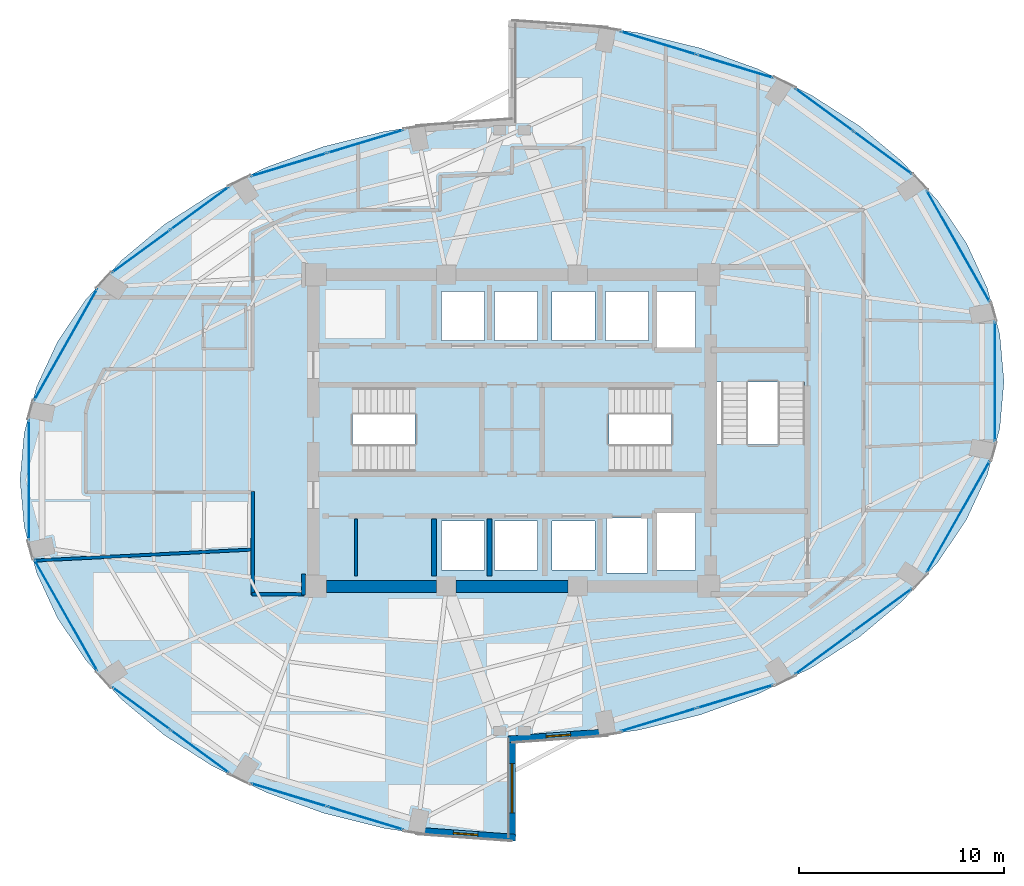
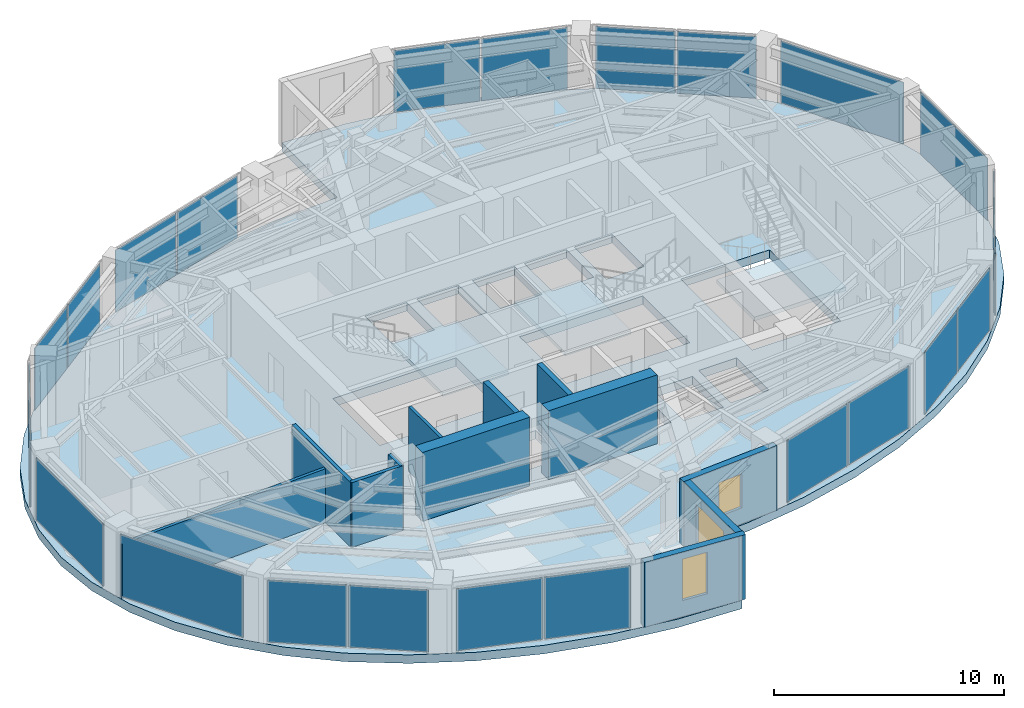
# One storey, part 15 of 20: 22 plates, 12 walls, 4 slabs, 3 windows, 3 openings, 17 elements without a shape of their own.
"""IFC4 building model written with IfcOpenShell, lengths in metres."""

from ifc_helpers import new_model, si_unit, direction, frame, frame_2d, origin, origin_2d, place, context, subcontext, project, spatial, polyline, rectangle, outline, extrude, material, layer, layer_set, type_object, element, fill, aggregate, save


model = new_model("IFC4")

# Units and contexts
model_context = context("Model", 3, precision=1e-05, world=origin(), true_north=direction((0.0, 1.0)))
body_context = subcontext(model_context, "Body", "Model", "MODEL_VIEW")
ifc_project = project(units=[si_unit("LENGTHUNIT", "METRE"), si_unit("AREAUNIT", "SQUARE_METRE"), si_unit("VOLUMEUNIT", "CUBIC_METRE"), si_unit("PLANEANGLEUNIT", "RADIAN"), si_unit("MASSUNIT", "GRAM", prefix="KILO")], contexts=[model_context])

# Site, building, storey
site_placement = place(None, origin())
site = spatial("IfcSite", under=ifc_project, at=site_placement, CompositionType="ELEMENT")
building_placement = place(site_placement, origin())
building = spatial("IfcBuilding", under=site, at=building_placement, Name="Lazwardi Medical Tower", CompositionType="ELEMENT")
storey_placement = place(building_placement, frame((0.0, 0.0, 138.2880859375)))
storey = spatial("IfcBuildingStorey", under=building, at=storey_placement, Name="L35", CompositionType="ELEMENT", Elevation=138.2880859375)

# Curtain wall, plates
ifc_material_1 = material(Name="Anodised bronze aluminium and solar control glazing", Category="aluminium")
ifc_layer_1 = layer(ifc_material_1, 0.195068359375)
ifc_layer_set_1 = layer_set([ifc_layer_1], Name="Anodised bronze aluminium and solar control glazing")
curtain_wall_type = type_object("IfcCurtainWallType", Name="CW-SYS-03", PredefinedType="NOTDEFINED", material=ifc_layer_set_1)
curtain_wall_1_placement = place(storey_placement, origin())
curtain_wall_1 = element("IfcCurtainWall", 1, at=curtain_wall_1_placement, inside=storey, type_object=curtain_wall_type, Name="L35 Unitised bronze curtain wall CW-03", PredefinedType="NOTDEFINED")
ifc_material_2 = material(Name="Low-e bronze solar control double glazing", Category="glass")
ifc_layer_2 = layer(ifc_material_2, 0.035888671875)
ifc_layer_set_2 = layer_set([ifc_layer_2], Name="Low-e bronze solar control double glazing")
plate_type = type_object("IfcPlateType", Name="PLT-GLZ-01", PredefinedType="CURTAIN_PANEL", material=ifc_layer_set_2)
plate_1_placement = place(storey_placement, frame((43.1435546875, 13.8935546875, 0.07470703125), z_axis=(0.0, 0.0, 1.0), x_axis=(0.956941516292, 0.290280785441, 0.0)))
plate_1 = element("IfcPlate", 2, at=plate_1_placement, type_object=plate_type, Name="CW-03 panel 1.1", PredefinedType="CURTAIN_PANEL", context=body_context, shape_type="SweptSolid", body=[
    extrude(rectangle(XDim=3.83642578125, YDim=0.035888671875, at=origin_2d()), origin(), (0.0, 0.0, 1.0), 3.278076171875),
])
plate_2_placement = place(storey_placement, frame((46.88671875, 15.029052734375, 0.07470703125), z_axis=(0.0, 0.0, 1.0), x_axis=(0.956941516292, 0.290280785441, 0.0)))
plate_2 = element("IfcPlate", 3, at=plate_2_placement, type_object=plate_type, Name="CW-03 panel 2.1", PredefinedType="CURTAIN_PANEL", context=body_context, shape_type="SweptSolid", body=[
    extrude(rectangle(XDim=3.83642578125, YDim=0.035888671875, at=origin_2d()), origin(), (0.0, 0.0, 1.0), 3.278076171875),
])
aggregate(curtain_wall_1, [plate_1, plate_2])

curtain_wall_2_placement = place(storey_placement, origin())
curtain_wall_2 = element("IfcCurtainWall", 4, at=curtain_wall_2_placement, inside=storey, type_object=curtain_wall_type, Name="L35 Unitised bronze curtain wall CW-03", PredefinedType="NOTDEFINED")
plate_3_placement = place(storey_placement, frame((51.2265625, 17.153076171875, 0.07470703125), z_axis=(0.0, 0.0, 1.0), x_axis=(0.806793249082, 0.590833862635, 0.0)))
plate_3 = element("IfcPlate", 5, at=plate_3_placement, type_object=plate_type, Name="CW-03 panel 1.1", PredefinedType="CURTAIN_PANEL", context=body_context, shape_type="SweptSolid", body=[
    extrude(rectangle(XDim=3.472412109375, YDim=0.035888671875, at=origin_2d()), origin(), (0.0, 0.0, 1.0), 3.278076171875),
])
plate_4_placement = place(storey_placement, frame((54.088623046875, 19.2490234375, 0.07470703125), z_axis=(0.0, 0.0, 1.0), x_axis=(0.806793249082, 0.590833862635, 0.0)))
plate_4 = element("IfcPlate", 6, at=plate_4_placement, type_object=plate_type, Name="CW-03 panel 2.1", PredefinedType="CURTAIN_PANEL", context=body_context, shape_type="SweptSolid", body=[
    extrude(rectangle(XDim=3.472412109375, YDim=0.035888671875, at=origin_2d()), origin(), (0.0, 0.0, 1.0), 3.278076171875),
])
aggregate(curtain_wall_2, [plate_3, plate_4])

# Curtain wall, plate
curtain_wall_3_placement = place(storey_placement, origin())
curtain_wall_3 = element("IfcCurtainWall", 7, at=curtain_wall_3_placement, inside=storey, type_object=curtain_wall_type, Name="L35 Unitised bronze curtain wall CW-03", PredefinedType="NOTDEFINED")
plate_5_placement = place(storey_placement, frame((57.764404296875, 23.798095703125, 0.07470703125), z_axis=(0.0, 0.0, 1.0), x_axis=(0.492311672683, 0.870418989303, 0.0)))
plate_5 = element("IfcPlate", 8, at=plate_5_placement, type_object=plate_type, Name="CW-03 panel 1.1", PredefinedType="CURTAIN_PANEL", context=body_context, shape_type="SweptSolid", body=[
    extrude(rectangle(XDim=6.208740234375, YDim=0.035888671875, at=origin_2d()), origin(), (0.0, 0.0, 1.0), 3.278076171875),
])
aggregate(curtain_wall_3, [plate_5])

curtain_wall_4_placement = place(storey_placement, origin())
curtain_wall_4 = element("IfcCurtainWall", 9, at=curtain_wall_4_placement, inside=storey, type_object=curtain_wall_type, Name="L35 Unitised bronze curtain wall CW-03", PredefinedType="NOTDEFINED")
plate_6_placement = place(storey_placement, frame((59.5576171875, 30.39990234375, 0.07470703125), z_axis=(0.0, 0.0, 1.0), x_axis=(0.0, 1.0, 0.0)))
plate_6 = element("IfcPlate", 10, at=plate_6_placement, type_object=plate_type, Name="CW-03 panel 1.1", PredefinedType="CURTAIN_PANEL", context=body_context, shape_type="SweptSolid", body=[
    extrude(rectangle(XDim=5.8408203125, YDim=0.035888671875, at=origin_2d()), origin(), (0.0, 0.0, 1.0), 3.278076171875),
])
aggregate(curtain_wall_4, [plate_6])

curtain_wall_5_placement = place(storey_placement, origin())
curtain_wall_5 = element("IfcCurtainWall", 11, at=curtain_wall_5_placement, inside=storey, type_object=curtain_wall_type, Name="L35 Unitised bronze curtain wall CW-03", PredefinedType="NOTDEFINED")
plate_7_placement = place(storey_placement, frame((57.764404296875, 37.001953125, 0.07470703125), z_axis=(0.0, 0.0, 1.0), x_axis=(-0.492311672683, 0.870418989303, 0.0)))
plate_7 = element("IfcPlate", 12, at=plate_7_placement, type_object=plate_type, Name="CW-03 panel 1.1", PredefinedType="CURTAIN_PANEL", context=body_context, shape_type="SweptSolid", body=[
    extrude(rectangle(XDim=6.208740234375, YDim=0.035888671875, at=origin_2d()), origin(), (0.0, 0.0, 1.0), 3.278076171875),
])
aggregate(curtain_wall_5, [plate_7])

# Curtain wall, plates
curtain_wall_6_placement = place(storey_placement, origin())
curtain_wall_6 = element("IfcCurtainWall", 13, at=curtain_wall_6_placement, inside=storey, type_object=curtain_wall_type, Name="L35 Unitised bronze curtain wall CW-03", PredefinedType="NOTDEFINED")
plate_8_placement = place(storey_placement, frame((54.088623046875, 41.551025390625, 0.07470703125), z_axis=(0.0, 0.0, 1.0), x_axis=(-0.806793249082, 0.590833862635, 0.0)))
plate_8 = element("IfcPlate", 14, at=plate_8_placement, type_object=plate_type, Name="CW-03 panel 1.1", PredefinedType="CURTAIN_PANEL", context=body_context, shape_type="SweptSolid", body=[
    extrude(rectangle(XDim=3.472412109375, YDim=0.035888671875, at=origin_2d()), origin(), (0.0, 0.0, 1.0), 3.278076171875),
])
plate_9_placement = place(storey_placement, frame((51.2265625, 43.64697265625, 0.07470703125), z_axis=(0.0, 0.0, 1.0), x_axis=(-0.806793249082, 0.590833862635, 0.0)))
plate_9 = element("IfcPlate", 15, at=plate_9_placement, type_object=plate_type, Name="CW-03 panel 2.1", PredefinedType="CURTAIN_PANEL", context=body_context, shape_type="SweptSolid", body=[
    extrude(rectangle(XDim=3.472412109375, YDim=0.035888671875, at=origin_2d()), origin(), (0.0, 0.0, 1.0), 3.278076171875),
])
aggregate(curtain_wall_6, [plate_8, plate_9])

curtain_wall_7_placement = place(storey_placement, origin())
curtain_wall_7 = element("IfcCurtainWall", 16, at=curtain_wall_7_placement, inside=storey, type_object=curtain_wall_type, Name="L35 Unitised bronze curtain wall CW-03", PredefinedType="NOTDEFINED")
plate_10_placement = place(storey_placement, frame((46.88671875, 45.77099609375, 0.07470703125), z_axis=(0.0, 0.0, 1.0), x_axis=(-0.956941516292, 0.290280785441, 0.0)))
plate_10 = element("IfcPlate", 17, at=plate_10_placement, type_object=plate_type, Name="CW-03 panel 1.1", PredefinedType="CURTAIN_PANEL", context=body_context, shape_type="SweptSolid", body=[
    extrude(rectangle(XDim=3.83642578125, YDim=0.035888671875, at=origin_2d()), origin(), (0.0, 0.0, 1.0), 3.278076171875),
])
plate_11_placement = place(storey_placement, frame((43.1435546875, 46.906494140625, 0.07470703125), z_axis=(0.0, 0.0, 1.0), x_axis=(-0.956941516292, 0.290280785441, 0.0)))
plate_11 = element("IfcPlate", 18, at=plate_11_placement, type_object=plate_type, Name="CW-03 panel 2.1", PredefinedType="CURTAIN_PANEL", context=body_context, shape_type="SweptSolid", body=[
    extrude(rectangle(XDim=3.83642578125, YDim=0.035888671875, at=origin_2d()), origin(), (0.0, 0.0, 1.0), 3.278076171875),
])
aggregate(curtain_wall_7, [plate_10, plate_11])

curtain_wall_8_placement = place(storey_placement, origin())
curtain_wall_8 = element("IfcCurtainWall", 19, at=curtain_wall_8_placement, inside=storey, type_object=curtain_wall_type, Name="L35 Unitised bronze curtain wall CW-03", PredefinedType="NOTDEFINED")
plate_12_placement = place(storey_placement, frame((28.8564453125, 42.1064453125, 0.07470703125), z_axis=(0.0, 0.0, 1.0), x_axis=(-0.956941516292, -0.290280785441, 0.0)))
plate_12 = element("IfcPlate", 20, at=plate_12_placement, type_object=plate_type, Name="CW-03 panel 1.1", PredefinedType="CURTAIN_PANEL", context=body_context, shape_type="SweptSolid", body=[
    extrude(rectangle(XDim=3.83642578125, YDim=0.035888671875, at=origin_2d()), origin(), (0.0, 0.0, 1.0), 3.278076171875),
])
plate_13_placement = place(storey_placement, frame((25.11328125, 40.970947265625, 0.07470703125), z_axis=(0.0, 0.0, 1.0), x_axis=(-0.956941516292, -0.290280785441, 0.0)))
plate_13 = element("IfcPlate", 21, at=plate_13_placement, type_object=plate_type, Name="CW-03 panel 2.1", PredefinedType="CURTAIN_PANEL", context=body_context, shape_type="SweptSolid", body=[
    extrude(rectangle(XDim=3.83642578125, YDim=0.035888671875, at=origin_2d()), origin(), (0.0, 0.0, 1.0), 3.278076171875),
])
aggregate(curtain_wall_8, [plate_12, plate_13])

curtain_wall_9_placement = place(storey_placement, origin())
curtain_wall_9 = element("IfcCurtainWall", 22, at=curtain_wall_9_placement, inside=storey, type_object=curtain_wall_type, Name="L35 Unitised bronze curtain wall CW-03", PredefinedType="NOTDEFINED")
plate_14_placement = place(storey_placement, frame((20.7734375, 38.846923828125, 0.07470703125), z_axis=(0.0, 0.0, 1.0), x_axis=(-0.806793249082, -0.590833862635, 0.0)))
plate_14 = element("IfcPlate", 23, at=plate_14_placement, type_object=plate_type, Name="CW-03 panel 1.1", PredefinedType="CURTAIN_PANEL", context=body_context, shape_type="SweptSolid", body=[
    extrude(rectangle(XDim=3.472412109375, YDim=0.035888671875, at=origin_2d()), origin(), (0.0, 0.0, 1.0), 3.278076171875),
])
plate_15_placement = place(storey_placement, frame((17.911376953125, 36.7509765625, 0.07470703125), z_axis=(0.0, 0.0, 1.0), x_axis=(-0.806793249082, -0.590833862635, 0.0)))
plate_15 = element("IfcPlate", 24, at=plate_15_placement, type_object=plate_type, Name="CW-03 panel 2.1", PredefinedType="CURTAIN_PANEL", context=body_context, shape_type="SweptSolid", body=[
    extrude(rectangle(XDim=3.472412109375, YDim=0.035888671875, at=origin_2d()), origin(), (0.0, 0.0, 1.0), 3.278076171875),
])
aggregate(curtain_wall_9, [plate_14, plate_15])

# Curtain wall, plate
curtain_wall_10_placement = place(storey_placement, origin())
curtain_wall_10 = element("IfcCurtainWall", 25, at=curtain_wall_10_placement, inside=storey, type_object=curtain_wall_type, Name="L35 Unitised bronze curtain wall CW-03", PredefinedType="NOTDEFINED")
plate_16_placement = place(storey_placement, frame((14.235595703125, 32.201904296875, 0.07470703125), z_axis=(0.0, 0.0, 1.0), x_axis=(-0.492311672683, -0.870418989303, 0.0)))
plate_16 = element("IfcPlate", 26, at=plate_16_placement, type_object=plate_type, Name="CW-03 panel 1.1", PredefinedType="CURTAIN_PANEL", context=body_context, shape_type="SweptSolid", body=[
    extrude(rectangle(XDim=6.208740234375, YDim=0.035888671875, at=origin_2d()), origin(), (0.0, 0.0, 1.0), 3.278076171875),
])
aggregate(curtain_wall_10, [plate_16])

curtain_wall_11_placement = place(storey_placement, origin())
curtain_wall_11 = element("IfcCurtainWall", 27, at=curtain_wall_11_placement, inside=storey, type_object=curtain_wall_type, Name="L35 Unitised bronze curtain wall CW-03", PredefinedType="NOTDEFINED")
plate_17_placement = place(storey_placement, frame((12.4423828125, 25.60009765625, 0.07470703125), z_axis=(0.0, 0.0, 1.0), x_axis=(0.0, -1.0, 0.0)))
plate_17 = element("IfcPlate", 28, at=plate_17_placement, type_object=plate_type, Name="CW-03 panel 1.1", PredefinedType="CURTAIN_PANEL", context=body_context, shape_type="SweptSolid", body=[
    extrude(rectangle(XDim=5.8408203125, YDim=0.035888671875, at=origin_2d()), origin(), (0.0, 0.0, 1.0), 3.278076171875),
])
aggregate(curtain_wall_11, [plate_17])

curtain_wall_12_placement = place(storey_placement, origin())
curtain_wall_12 = element("IfcCurtainWall", 29, at=curtain_wall_12_placement, inside=storey, type_object=curtain_wall_type, Name="L35 Unitised bronze curtain wall CW-03", PredefinedType="NOTDEFINED")
plate_18_placement = place(storey_placement, frame((14.235595703125, 18.998046875, 0.07470703125), z_axis=(0.0, 0.0, 1.0), x_axis=(0.492311672683, -0.870418989303, 0.0)))
plate_18 = element("IfcPlate", 30, at=plate_18_placement, type_object=plate_type, Name="CW-03 panel 1.1", PredefinedType="CURTAIN_PANEL", context=body_context, shape_type="SweptSolid", body=[
    extrude(rectangle(XDim=6.208740234375, YDim=0.035888671875, at=origin_2d()), origin(), (0.0, 0.0, 1.0), 3.278076171875),
])
aggregate(curtain_wall_12, [plate_18])

# Curtain wall, plates
curtain_wall_13_placement = place(storey_placement, origin())
curtain_wall_13 = element("IfcCurtainWall", 31, at=curtain_wall_13_placement, inside=storey, type_object=curtain_wall_type, Name="L35 Unitised bronze curtain wall CW-03", PredefinedType="NOTDEFINED")
plate_19_placement = place(storey_placement, frame((17.911376953125, 14.448974609375, 0.07470703125), z_axis=(0.0, 0.0, 1.0), x_axis=(0.806793249082, -0.590833862635, 0.0)))
plate_19 = element("IfcPlate", 32, at=plate_19_placement, type_object=plate_type, Name="CW-03 panel 1.1", PredefinedType="CURTAIN_PANEL", context=body_context, shape_type="SweptSolid", body=[
    extrude(rectangle(XDim=3.472412109375, YDim=0.035888671875, at=origin_2d()), origin(), (0.0, 0.0, 1.0), 3.278076171875),
])
plate_20_placement = place(storey_placement, frame((20.7734375, 12.35302734375, 0.07470703125), z_axis=(0.0, 0.0, 1.0), x_axis=(0.806793249082, -0.590833862635, 0.0)))
plate_20 = element("IfcPlate", 33, at=plate_20_placement, type_object=plate_type, Name="CW-03 panel 2.1", PredefinedType="CURTAIN_PANEL", context=body_context, shape_type="SweptSolid", body=[
    extrude(rectangle(XDim=3.472412109375, YDim=0.035888671875, at=origin_2d()), origin(), (0.0, 0.0, 1.0), 3.278076171875),
])
aggregate(curtain_wall_13, [plate_19, plate_20])

curtain_wall_14_placement = place(storey_placement, origin())
curtain_wall_14 = element("IfcCurtainWall", 34, at=curtain_wall_14_placement, inside=storey, type_object=curtain_wall_type, Name="L35 Unitised bronze curtain wall CW-03", PredefinedType="NOTDEFINED")
plate_21_placement = place(storey_placement, frame((25.11328125, 10.22900390625, 0.07470703125), z_axis=(0.0, 0.0, 1.0), x_axis=(0.956941516292, -0.290280785441, 0.0)))
plate_21 = element("IfcPlate", 35, at=plate_21_placement, type_object=plate_type, Name="CW-03 panel 1.1", PredefinedType="CURTAIN_PANEL", context=body_context, shape_type="SweptSolid", body=[
    extrude(rectangle(XDim=3.83642578125, YDim=0.035888671875, at=origin_2d()), origin(), (0.0, 0.0, 1.0), 3.278076171875),
])
plate_22_placement = place(storey_placement, frame((28.8564453125, 9.093505859375, 0.07470703125), z_axis=(0.0, 0.0, 1.0), x_axis=(0.956941516292, -0.290280785441, 0.0)))
plate_22 = element("IfcPlate", 36, at=plate_22_placement, type_object=plate_type, Name="CW-03 panel 2.1", PredefinedType="CURTAIN_PANEL", context=body_context, shape_type="SweptSolid", body=[
    extrude(rectangle(XDim=3.83642578125, YDim=0.035888671875, at=origin_2d()), origin(), (0.0, 0.0, 1.0), 3.278076171875),
])
aggregate(curtain_wall_14, [plate_21, plate_22])

# Stair, slab
ifc_material_3 = material(Name="Concrete C45/55", Category="concrete")
stair_type = type_object("IfcStairType", Name="STR-WRD", PredefinedType="HALF_TURN_STAIR", material=ifc_material_3)
stair_1_placement = place(storey_placement, origin())
stair_1 = element("IfcStair", 37, at=stair_1_placement, inside=storey, type_object=stair_type, Name="L35 Protected Exit Stair ST1", PredefinedType="HALF_TURN_STAIR")
ifc_layer_3 = layer(ifc_material_3, 0.199951171875)
ifc_layer_set_3 = layer_set([ifc_layer_3], Name="Concrete C45/55")
slab_type_1 = type_object("IfcSlabType", Name="SLB-LND-190", PredefinedType="LANDING", material=ifc_layer_set_3)
slab_1_placement = place(storey_placement, frame((0.0, 0.0, 1.6240234375)))
slab_1 = element("IfcSlab", 38, at=slab_1_placement, type_object=slab_type_1, Name="ST1 landing 1", PredefinedType="LANDING", context=body_context, shape_type="SweptSolid", body=[
    extrude(outline(polyline([(31.27490234375, 25.840087890625), (34.580078125, 25.840087890625), (34.580078125, 30.280029296875), (31.27490234375, 30.280029296875), (31.27490234375, 25.840087890625)])), origin(), (0.0, 0.0, 1.0), 0.199951171875),
])
aggregate(stair_1, [slab_1])

stair_2_placement = place(storey_placement, origin())
stair_2 = element("IfcStair", 39, at=stair_2_placement, inside=storey, type_object=stair_type, Name="L35 Protected Exit Stair ST2", PredefinedType="HALF_TURN_STAIR")
slab_2_placement = place(storey_placement, frame((0.0, 0.0, 1.6240234375)))
slab_2 = element("IfcSlab", 40, at=slab_2_placement, type_object=slab_type_1, Name="ST2 landing 1", PredefinedType="LANDING", context=body_context, shape_type="SweptSolid", body=[
    extrude(outline(polyline([(40.72509765625, 30.280029296875), (37.419921875, 30.280029296875), (37.419921875, 25.840087890625), (40.72509765625, 25.840087890625), (40.72509765625, 30.280029296875)])), origin(), (0.0, 0.0, 1.0), 0.199951171875),
])
aggregate(stair_2, [slab_2])

stair_3_placement = place(storey_placement, origin())
stair_3 = element("IfcStair", 41, at=stair_3_placement, inside=storey, type_object=stair_type, Name="L35 Protected Exit Stair ST3", PredefinedType="HALF_TURN_STAIR")
slab_3_placement = place(storey_placement, frame((0.0, 0.0, 1.6240234375)))
slab_3 = element("IfcSlab", 42, at=slab_3_placement, type_object=slab_type_1, Name="ST3 landing 1", PredefinedType="LANDING", context=body_context, shape_type="SweptSolid", body=[
    extrude(outline(polyline([(45.860107421875, 27.324951171875), (45.860107421875, 24.02001953125), (50.4599609375, 24.02001953125), (50.4599609375, 27.324951171875), (45.860107421875, 27.324951171875)])), origin(), (0.0, 0.0, 1.0), 0.199951171875),
])
aggregate(stair_3, [slab_3])

# Slab
ifc_material_4 = material(Name="Concrete C60/75", Category="concrete")
ifc_layer_4 = layer(ifc_material_4, 0.449951171875)
ifc_layer_set_4 = layer_set([ifc_layer_4], Name="Concrete C60/75")
slab_type_2 = type_object("IfcSlabType", Name="SLB-TRN-450", PredefinedType="FLOOR", material=ifc_layer_set_4)
slab_4_placement = place(storey_placement, frame((0.0, 0.0, -0.4501953125)))
element("IfcSlab", 43, at=slab_4_placement, inside=storey, type_object=slab_type_2, Name="Structural floor slab SF-02 L35", PredefinedType="FLOOR", context=body_context, shape_type="SweptSolid", body=[
    extrude(outline(polyline([(12.205322265625, 23.302734375), (12.81787109375, 21.044921875), (13.826904296875, 18.86474609375), (15.21533203125, 16.800048828125), (16.95947265625, 14.8857421875), (19.029296875, 13.15478515625), (21.3896484375, 11.636962890625), (24.0, 10.35791015625), (26.815673828125, 9.339599609375), (29.788330078125, 8.599609375), (32.867431640625, 8.150634765625), (36.0, 8.0), (36.0, 12.800048828125), (39.132568359375, 12.95068359375), (42.211669921875, 13.399658203125), (45.184326171875, 14.1396484375), (48.0, 15.157958984375), (50.6103515625, 16.43701171875), (52.970703125, 17.954833984375), (55.04052734375, 19.685791015625), (56.78466796875, 21.60009765625), (58.173095703125, 23.664794921875), (59.18212890625, 25.8447265625), (59.794677734375, 28.102783203125), (60.0, 30.39990234375), (59.794677734375, 32.697265625), (59.18212890625, 34.955078125), (58.173095703125, 37.13525390625), (56.78466796875, 39.199951171875), (55.04052734375, 41.1142578125), (52.970703125, 42.84521484375), (50.6103515625, 44.363037109375), (48.0, 45.64208984375), (45.184326171875, 46.660400390625), (42.211669921875, 47.400390625), (39.132568359375, 47.849365234375), (36.0, 48.0), (36.0, 43.199951171875), (32.867431640625, 43.04931640625), (29.788330078125, 42.600341796875), (26.815673828125, 41.8603515625), (24.0, 40.842041015625), (21.3896484375, 39.56298828125), (19.029296875, 38.045166015625), (16.95947265625, 36.314208984375), (15.21533203125, 34.39990234375), (13.826904296875, 32.335205078125), (12.81787109375, 30.1552734375), (12.205322265625, 27.897216796875), (12.0, 25.60009765625), (12.205322265625, 23.302734375)]), holes=[polyline([(28.22509765625, 26.02001953125), (28.22509765625, 30.10009765625), (34.39990234375, 30.10009765625), (34.39990234375, 26.02001953125), (28.22509765625, 26.02001953125)]), polyline([(37.60009765625, 30.10009765625), (43.77490234375, 30.10009765625), (43.77490234375, 26.02001953125), (37.60009765625, 26.02001953125), (37.60009765625, 30.10009765625)]), polyline([(50.280029296875, 30.375), (50.280029296875, 24.179931640625), (45.840087890625, 24.179931640625), (45.840087890625, 30.375), (50.280029296875, 30.375)]), polyline([(34.64990234375, 32.39990234375), (32.550048828125, 32.39990234375), (32.550048828125, 34.800048828125), (34.64990234375, 34.800048828125), (34.64990234375, 32.39990234375)]), polyline([(35.14990234375, 32.39990234375), (35.14990234375, 34.800048828125), (37.25, 34.800048828125), (37.25, 32.39990234375), (35.14990234375, 32.39990234375)]), polyline([(32.550048828125, 23.60009765625), (34.64990234375, 23.60009765625), (34.64990234375, 21.199951171875), (32.550048828125, 21.199951171875), (32.550048828125, 23.60009765625)]), polyline([(37.25, 23.60009765625), (37.25, 21.199951171875), (35.14990234375, 21.199951171875), (35.14990234375, 23.60009765625), (37.25, 23.60009765625)]), polyline([(40.050048828125, 32.39990234375), (37.949951171875, 32.39990234375), (37.949951171875, 34.800048828125), (40.050048828125, 34.800048828125), (40.050048828125, 32.39990234375)]), polyline([(40.550048828125, 32.39990234375), (40.550048828125, 34.800048828125), (42.64990234375, 34.800048828125), (42.64990234375, 32.39990234375), (40.550048828125, 32.39990234375)]), polyline([(37.949951171875, 23.60009765625), (40.050048828125, 23.60009765625), (40.050048828125, 21.199951171875), (37.949951171875, 21.199951171875), (37.949951171875, 23.60009765625)]), polyline([(44.949951171875, 34.800048828125), (44.949951171875, 32.0), (43.050048828125, 32.0), (43.050048828125, 34.800048828125), (44.949951171875, 34.800048828125)]), polyline([(44.949951171875, 21.199951171875), (43.050048828125, 21.199951171875), (43.050048828125, 24.0), (44.949951171875, 24.0), (44.949951171875, 21.199951171875)]), polyline([(40.60009765625, 21.050048828125), (40.60009765625, 23.75), (42.60009765625, 23.75), (42.60009765625, 21.050048828125), (40.60009765625, 21.050048828125)])]), origin(), (0.0, 0.0, 1.0), 0.4501953125),
])

# Walls
ifc_material_5 = material(Name="Fire-rated gypsum board on steel stud", Category="steel")
ifc_layer_5 = layer(ifc_material_5, 0.179931640625)
ifc_layer_set_5 = layer_set([ifc_layer_5], Name="Fire-rated gypsum board on steel stud")
wall_type_1 = type_object("IfcWallType", Name="WL-COR-180", PredefinedType="PARTITIONING", material=ifc_layer_set_5)
wall_1_placement = place(storey_placement, frame((25.830078125, 21.010009765625, 0.0), z_axis=(0.0, 0.0, 1.0), x_axis=(0.0, -1.0, 0.0)))
element("IfcWall", 44, at=wall_1_placement, inside=storey, type_object=wall_type_1, Name="L35 Corridor partition 16", PredefinedType="PARTITIONING", context=body_context, shape_type="SweptSolid", body=[
    extrude(rectangle(XDim=1.030029296875, YDim=0.179931640625, at=frame_2d((0.51513671875, 0.0))), origin(), (0.0, 0.0, 1.0), 3.427978515625),
])
wall_2_placement = place(storey_placement, frame((25.8701171875, 20.02001953125, 0.0), z_axis=(0.0, 0.0, 1.0), x_axis=(-1.0, 0.0, 0.0)))
element("IfcWall", 45, at=wall_2_placement, inside=storey, type_object=wall_type_1, Name="L35 Corridor partition 17", PredefinedType="PARTITIONING", context=body_context, shape_type="SweptSolid", body=[
    extrude(rectangle(XDim=2.56005859375, YDim=0.179931640625, at=frame_2d((1.280029296875, 0.0))), origin(), (0.0, 0.0, 1.0), 3.427978515625),
])
wall_3_placement = place(storey_placement, frame((23.35009765625, 19.97998046875, 0.0), z_axis=(0.0, 0.0, 1.0), x_axis=(0.0, 1.0, 0.0)))
element("IfcWall", 46, at=wall_3_placement, inside=storey, type_object=wall_type_1, Name="L35 Corridor partition 18", PredefinedType="PARTITIONING", context=body_context, shape_type="SweptSolid", body=[
    extrude(rectangle(XDim=5.06005859375, YDim=0.179931640625, at=frame_2d((2.530029296875, 0.0))), origin(), (0.0, 0.0, 1.0), 3.427978515625),
])
ifc_layer_6 = layer(ifc_material_4, 0.60009765625)
ifc_layer_set_6 = layer_set([ifc_layer_6], Name="Concrete C60/75")
wall_type_2 = type_object("IfcWallType", Name="WL-CORE-600", PredefinedType="SHEAR", material=ifc_layer_set_6)
wall_4_placement = place(storey_placement, frame((26.949951171875, 20.39990234375, 0.0), z_axis=(0.0, 0.0, 1.0), x_axis=(1.0, 0.0, 0.0)))
element("IfcWall", 47, at=wall_4_placement, inside=storey, type_object=wall_type_2, Name="Core wall CW-S3 S1 L35", PredefinedType="SHEAR", context=body_context, shape_type="SweptSolid", body=[
    extrude(rectangle(XDim=5.375, YDim=0.60009765625, at=frame_2d((2.6875, 0.0))), origin(), (0.0, 0.0, 1.0), 3.64794921875),
])
wall_5_placement = place(storey_placement, frame((33.27490234375, 20.39990234375, 0.0), z_axis=(0.0, 0.0, 1.0), x_axis=(1.0, 0.0, 0.0)))
element("IfcWall", 48, at=wall_5_placement, inside=storey, type_object=wall_type_2, Name="Core wall CW-S3 S2 L35", PredefinedType="SHEAR", context=body_context, shape_type="SweptSolid", body=[
    extrude(rectangle(XDim=5.4501953125, YDim=0.60009765625, at=frame_2d((2.72509765625, 0.0))), origin(), (0.0, 0.0, 1.0), 3.64794921875),
])

# Wall, opening, window
ifc_material_6 = material(Name="Precast concrete C45/55", Category="concrete")
ifc_layer_7 = layer(ifc_material_6, 0.320068359375)
ifc_layer_set_7 = layer_set([ifc_layer_7], Name="Precast concrete C45/55")
wall_type_3 = type_object("IfcWallType", Name="WL-IWAN-320", PredefinedType="SOLIDWALL", material=ifc_layer_set_7)
wall_6_placement = place(storey_placement, frame((35.820556640625, 12.947021484375, 0.0), z_axis=(0.0, 0.0, 1.0), x_axis=(0.997415460462, 0.071849838072, 0.0)))
wall_6 = element("IfcWall", 49, at=wall_6_placement, inside=storey, type_object=wall_type_3, Name="L35 Iwan Portal Return Wall SE_ret", PredefinedType="SOLIDWALL", context=body_context, shape_type="SweptSolid", body=[
    extrude(rectangle(XDim=4.89306640625, YDim=0.320068359375, at=frame_2d((2.446533203125, 0.0))), origin(), (0.0, 0.0, 1.0), 3.427978515625),
])
opening_1_placement = place(wall_6_placement, frame((1.846435546875, 0.0, 0.85009765625)))
opening_1 = element("IfcOpeningElement", 50, at=opening_1_placement, cuts=wall_6, Name="Opening WN-04", PredefinedType="OPENING", context=body_context, shape_type="SweptSolid", body=[
    extrude(rectangle(XDim=1.199951171875, YDim=1.800048828125, at=frame_2d((0.60009765625, 0.89990234375))), frame((0.0, 0.169921875, 0.0), z_axis=(0.0, -1.0, 0.0), x_axis=(1.0, 0.0, 0.0)), (0.0, 0.0, 1.0), 0.340087890625),
])
window_type_1 = type_object("IfcWindowType", Name="WIN-DRUM-1200", PartitioningType="SINGLE_PANEL", PredefinedType="WINDOW", material=ifc_material_2)
window_1_placement = place(opening_1_placement, origin())
window_1 = element("IfcWindow", 51, at=window_1_placement, inside=storey, type_object=window_type_1, Name="L35 Iwan Slot Window SE_ret", OverallHeight=1.800048828125, OverallWidth=1.199951171875, PartitioningType="SINGLE_PANEL", PredefinedType="WINDOW", context=body_context, shape_type="SweptSolid", body=[
    extrude(rectangle(XDim=1.199951171875, YDim=1.800048828125, at=frame_2d((0.60009765625, 0.89990234375))), frame((0.0, 0.030029296875, 0.0), z_axis=(0.0, -1.0, 0.0), x_axis=(1.0, 0.0, 0.0)), (0.0, 0.0, 1.0), 0.06005859375),
])
fill(opening_1, window_1)

wall_7_placement = place(storey_placement, frame((31.299072265625, 8.498779296875, 0.0), z_axis=(0.0, 0.0, 1.0), x_axis=(0.997415202861, -0.071853413984, 0.0)))
wall_7 = element("IfcWall", 52, at=wall_7_placement, inside=storey, type_object=wall_type_3, Name="L35 Iwan Portal Return Wall SW_ret", PredefinedType="SOLIDWALL", context=body_context, shape_type="SweptSolid", body=[
    extrude(rectangle(XDim=4.892822265625, YDim=0.320068359375, at=frame_2d((2.4462890625, 0.0))), origin(), (0.0, 0.0, 1.0), 3.427978515625),
])
opening_2_placement = place(wall_7_placement, frame((1.84619140625, 0.0, 0.85009765625)))
opening_2 = element("IfcOpeningElement", 53, at=opening_2_placement, cuts=wall_7, Name="Opening WN-01", PredefinedType="OPENING", context=body_context, shape_type="SweptSolid", body=[
    extrude(rectangle(XDim=1.199951171875, YDim=2.199951171875, at=frame_2d((0.60009765625, 1.10009765625))), frame((0.0, 0.169921875, 0.0), z_axis=(0.0, -1.0, 0.0), x_axis=(1.0, 0.0, 0.0)), (0.0, 0.0, 1.0), 0.340087890625),
])
window_type_2 = type_object("IfcWindowType", Name="WIN-IW-1200", PartitioningType="SINGLE_PANEL", PredefinedType="WINDOW", material=ifc_material_2)
window_2_placement = place(opening_2_placement, origin())
window_2 = element("IfcWindow", 54, at=window_2_placement, inside=storey, type_object=window_type_2, Name="L35 Iwan Slot Window SW_ret", OverallHeight=2.199951171875, OverallWidth=1.199951171875, PartitioningType="SINGLE_PANEL", PredefinedType="WINDOW", context=body_context, shape_type="SweptSolid", body=[
    extrude(rectangle(XDim=1.199951171875, YDim=2.199951171875, at=frame_2d((0.60009765625, 1.10009765625))), frame((0.0, 0.030029296875, 0.0), z_axis=(0.0, -1.0, 0.0), x_axis=(1.0, 0.0, 0.0)), (0.0, 0.0, 1.0), 0.06005859375),
])
fill(opening_2, window_2)

wall_8_placement = place(storey_placement, frame((36.0, 8.0, 0.0), z_axis=(0.0, 0.0, 1.0), x_axis=(0.0, 1.0, 0.0)))
wall_8 = element("IfcWall", 55, at=wall_8_placement, inside=storey, type_object=wall_type_3, Name="L35 Turquoise Tilework Iwan Seam Wall S_seam", PredefinedType="SOLIDWALL", context=body_context, shape_type="SweptSolid", body=[
    extrude(rectangle(XDim=5.1201171875, YDim=0.320068359375, at=frame_2d((2.56005859375, 0.0))), origin(), (0.0, 0.0, 1.0), 3.427978515625),
])
opening_3_placement = place(wall_8_placement, frame((1.360107421875, 0.0, 0.840087890625)))
opening_3 = element("IfcOpeningElement", 56, at=opening_3_placement, cuts=wall_8, Name="Opening WN-02", PredefinedType="OPENING", context=body_context, shape_type="SweptSolid", body=[
    extrude(rectangle(XDim=2.39990234375, YDim=2.0400390625, at=frame_2d((1.199951171875, 1.02001953125))), frame((0.0, 0.169921875, 0.0), z_axis=(0.0, -1.0, 0.0), x_axis=(1.0, 0.0, 0.0)), (0.0, 0.0, 1.0), 0.340087890625),
])
window_type_3 = type_object("IfcWindowType", Name="WIN-IW-2400", PartitioningType="SINGLE_PANEL", PredefinedType="WINDOW", material=ifc_material_2)
window_3_placement = place(opening_3_placement, origin())
window_3 = element("IfcWindow", 57, at=window_3_placement, inside=storey, type_object=window_type_3, Name="L35 Iwan Seam Window S_seam", OverallHeight=2.0400390625, OverallWidth=2.39990234375, PartitioningType="SINGLE_PANEL", PredefinedType="WINDOW", context=body_context, shape_type="SweptSolid", body=[
    extrude(rectangle(XDim=2.39990234375, YDim=2.0400390625, at=frame_2d((1.199951171875, 1.02001953125))), frame((0.0, 0.030029296875, 0.0), z_axis=(0.0, -1.0, 0.0), x_axis=(1.0, 0.0, 0.0)), (0.0, 0.0, 1.0), 0.06005859375),
])
fill(opening_3, window_3)

# Walls
ifc_material_7 = material(Name="Autoclaved aerated concrete blockwork", Category="masonry")
ifc_layer_8 = layer(ifc_material_7, 0.25)
ifc_layer_set_8 = layer_set([ifc_layer_8], Name="Autoclaved aerated concrete blockwork")
wall_type_4 = type_object("IfcWallType", Name="WL-SHAFT-250", PredefinedType="SOLIDWALL", material=ifc_layer_set_8)
for number, where, z_axis, x_axis, name in (
    (58, (32.199951171875, 20.89990234375, 0.0), (0.0, 0.0, 1.0), (0.0, 1.0, 0.0), "L35 South hoistway divider"),
    (59, (34.89990234375, 20.89990234375, 0.0), (0.0, 0.0, 1.0), (0.0, 1.0, 0.0), "L35 South hoistway divider"),
):
    element("IfcWall", number, at=place(storey_placement, frame(where, z_axis=z_axis, x_axis=x_axis)), inside=storey, type_object=wall_type_4, Name=name, PredefinedType="SOLIDWALL", context=body_context, shape_type="SweptSolid", body=[
        extrude(rectangle(XDim=2.800048828125, YDim=0.25, at=frame_2d((1.39990234375, 0.0))), origin(), (0.0, 0.0, 1.0), 3.427978515625),
    ])
ifc_material_8 = material(Name="Acoustic gypsum board partition")
ifc_layer_9 = layer(ifc_material_8, 0.14990234375)
ifc_layer_set_9 = layer_set([ifc_layer_9], Name="Acoustic gypsum board partition")
wall_type_5 = type_object("IfcWallType", Name="WL-WRD-150", PredefinedType="PARTITIONING", material=ifc_layer_set_9)
wall_9_placement = place(storey_placement, frame((28.39990234375, 20.89990234375, 0.0), z_axis=(0.0, 0.0, 1.0), x_axis=(0.0, 1.0, 0.0)))
element("IfcWall", 60, at=wall_9_placement, inside=storey, type_object=wall_type_5, Name="L35 Freed bay S split 2", PredefinedType="PARTITIONING", context=body_context, shape_type="SweptSolid", body=[
    extrude(rectangle(XDim=2.800048828125, YDim=0.14990234375, at=frame_2d((1.39990234375, 0.0))), origin(), (0.0, 0.0, 1.0), 3.427978515625),
])
wall_10_placement = place(storey_placement, frame((12.722900390625, 21.6611328125, 0.0), z_axis=(0.0, 0.0, 1.0), x_axis=(0.998712791022, 0.050722391981, 0.0)))
element("IfcWall", 61, at=wall_10_placement, inside=storey, type_object=wall_type_5, Name="L35 Room partition 1", PredefinedType="PARTITIONING", context=body_context, shape_type="SweptSolid", body=[
    extrude(rectangle(XDim=10.55078125, YDim=0.14990234375, at=frame_2d((5.275390625, 0.0))), origin(), (0.0, 0.0, 1.0), 2.86279296875),
])

save(model, "model.ifc")
